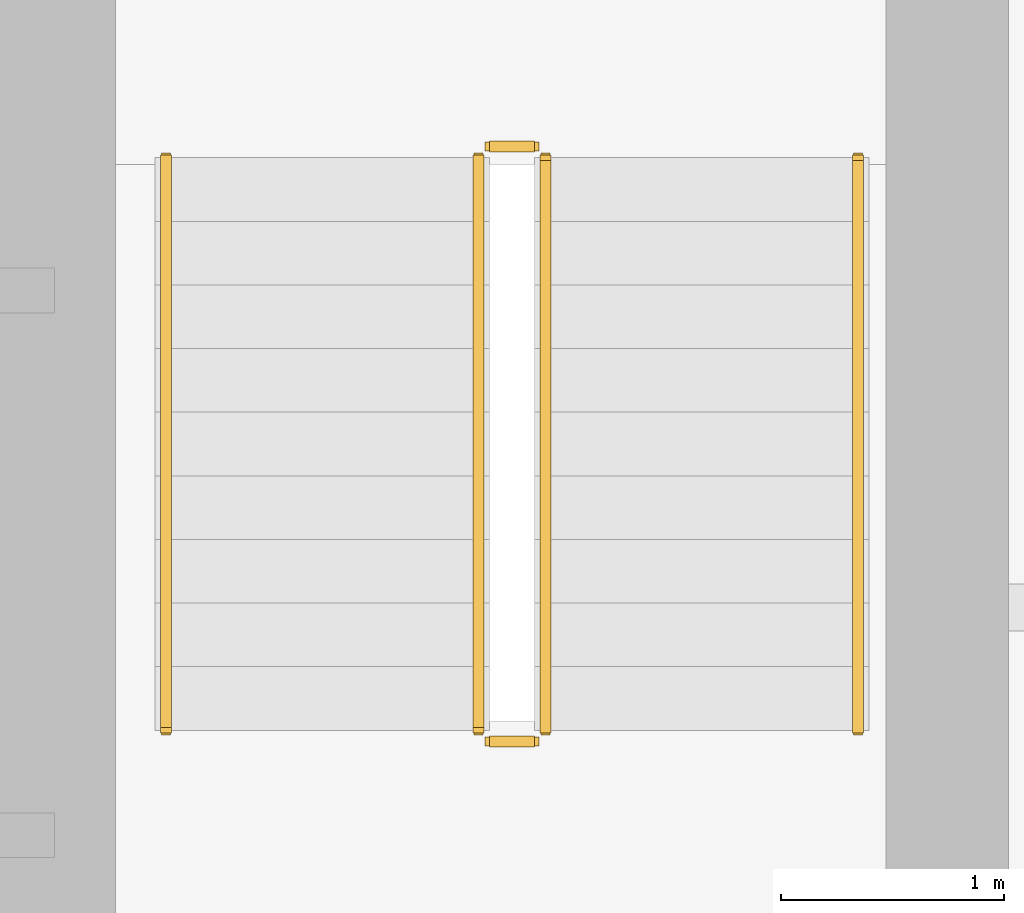
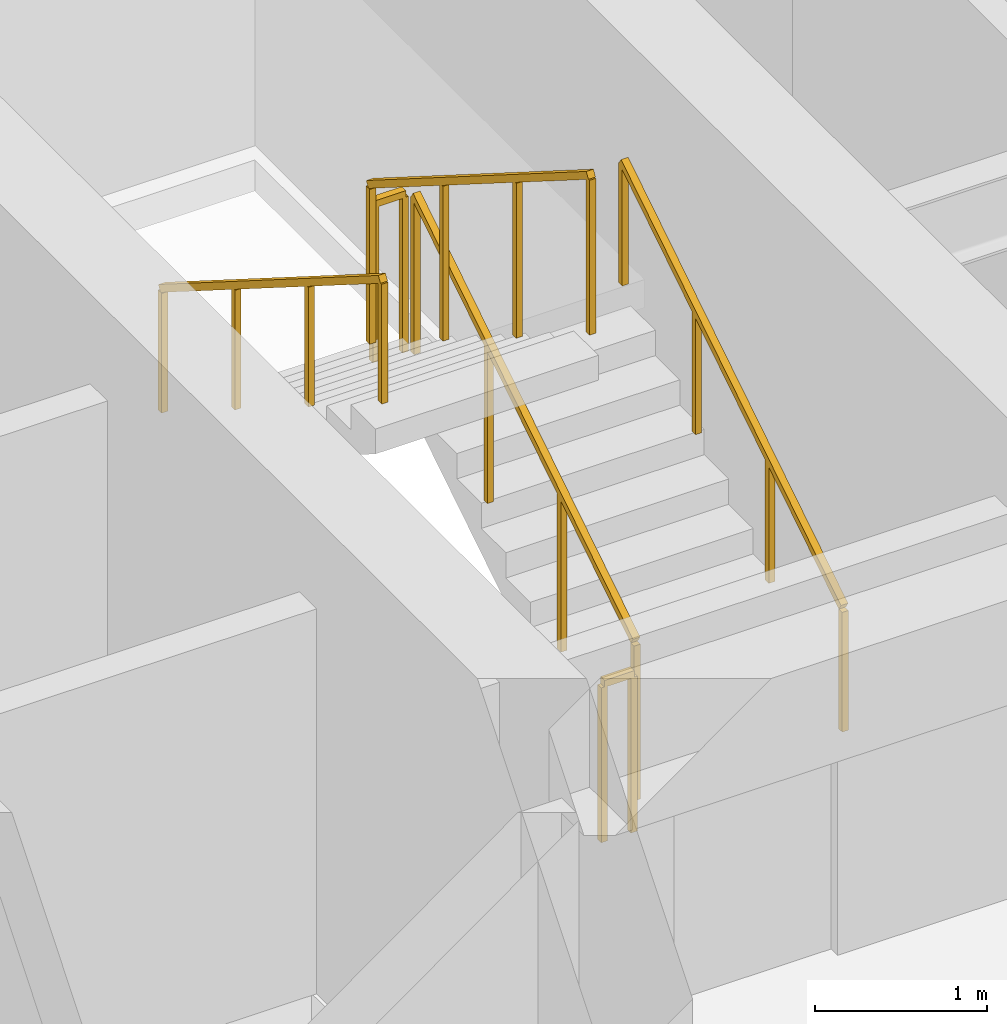
# One storey, part 24 of 24: 6 railings.
"""IFC4 building model written with IfcOpenShell, lengths in metres."""

import ifcopenshell
import ifcopenshell.guid

model = None  # the IFC model being written
_history = None  # IfcOwnerHistory: only IFC2X3 demands one
_inside = {}  # id of a spatial element -> (the spatial element, [elements in it])
_under = {}  # id of a project, library or spatial element -> (it, [spatial elements below it])
_declared = {}  # id of a project -> (the project, [libraries it declares])
_typed = {}  # id of a type object -> (the type object, [elements of that type])
_made_of = {}  # id of a material, layer set ... -> (it, [elements and type objects made of it])


def new_model(schema):
    """Start an empty IFC model of exactly this schema.

    Asked for "IFC4X3", IfcOpenShell would pick the latest addendum, in which some entities
    have other attributes; the version numbers below select the first issue.
    IFC2X3 requires an IfcOwnerHistory on every rooted entity: one is made here for all.
    """
    global model, _history
    if schema == "IFC4X3":
        model = ifcopenshell.file(schema_version=(4, 3, 0, 0))
    else:
        model = ifcopenshell.file(schema=schema)
    _inside.clear()
    _under.clear()
    _declared.clear()
    _typed.clear()
    _made_of.clear()
    _history = None
    if model.schema == "IFC2X3":
        org = make("IfcOrganization", Name="unknown")
        user = make(
            "IfcPersonAndOrganization",
            ThePerson=make("IfcPerson", FamilyName="unknown"),
            TheOrganization=org,
        )
        app = make(
            "IfcApplication",
            ApplicationDeveloper=org,
            Version="unknown",
            ApplicationFullName="unknown",
            ApplicationIdentifier="unknown",
        )
        _history = make(
            "IfcOwnerHistory",
            OwningUser=user,
            OwningApplication=app,
            ChangeAction="ADDED",
            CreationDate=0,
        )
    return model


def make(cls, **values):
    """One entity of the class cls with the attributes given. An attribute that is None is left unset."""
    return model.create_entity(
        cls, **{name: value for name, value in values.items() if value is not None}
    )


def rooted(cls, **values):
    """An entity with a GlobalId (a new one), such as an element, a storey or a relation."""
    return make(cls, GlobalId=ifcopenshell.guid.new(), OwnerHistory=_history, **values)


def si_unit(unit_type, name, prefix=None):
    """IfcSIUnit, for example si_unit("LENGTHUNIT", "METRE", prefix="MILLI")."""
    return make("IfcSIUnit", UnitType=unit_type, Prefix=prefix, Name=name)


def assignment(units):
    """IfcUnitAssignment: the units of a project."""
    return None if units is None else make("IfcUnitAssignment", Units=units)


def point(xyz):
    """IfcCartesianPoint."""
    return None if xyz is None else make("IfcCartesianPoint", Coordinates=xyz)


def direction(xyz):
    """IfcDirection."""
    return None if xyz is None else make("IfcDirection", DirectionRatios=xyz)


def frame(location, z_axis=None, x_axis=None):
    """IfcAxis2Placement3D, a coordinate frame: its origin and axes. An axis left out is left unset."""
    return make(
        "IfcAxis2Placement3D",
        Location=point(location),
        Axis=direction(z_axis),
        RefDirection=direction(x_axis),
    )


def frame_2d(location, x_axis=None):
    """IfcAxis2Placement2D, a coordinate frame in the plane: its origin and x axis."""
    return make(
        "IfcAxis2Placement2D", Location=point(location), RefDirection=direction(x_axis)
    )


def origin():
    """The frame at (0, 0, 0) with its axes left unset."""
    return frame((0.0, 0.0, 0.0))


def origin_2d():
    """The frame at (0, 0) in the plane with its x axis left unset."""
    return frame_2d((0.0, 0.0))


def place(relative_to, where):
    """IfcLocalPlacement: puts the frame where relative to a parent placement (None: the world)."""
    return make(
        "IfcLocalPlacement", PlacementRelTo=relative_to, RelativePlacement=where
    )


def context(
    kind, dimensions, precision=None, world=None, true_north=None, identifier=None
):
    """IfcGeometricRepresentationContext, for example the 3D "Model" context."""
    return make(
        "IfcGeometricRepresentationContext",
        ContextIdentifier=identifier,
        ContextType=kind,
        CoordinateSpaceDimension=dimensions,
        Precision=precision,
        WorldCoordinateSystem=world,
        TrueNorth=true_north,
    )


def subcontext(parent, identifier, kind, view, scale=None):
    """IfcGeometricRepresentationSubContext, for example "Body" below "Model"."""
    return make(
        "IfcGeometricRepresentationSubContext",
        ContextIdentifier=identifier,
        ContextType=kind,
        ParentContext=parent,
        TargetScale=scale,
        TargetView=view,
    )


def project(units=None, contexts=None):
    """IfcProject with its units and contexts."""
    return rooted(
        "IfcProject",
        Name="project",
        RepresentationContexts=contexts,
        UnitsInContext=assignment(units),
    )


def spatial(cls, under=None, at=None, **own):
    """A site, building, storey or space (cls), placed at a placement, below another one or the project."""
    s = rooted(cls, ObjectPlacement=at, **own)
    if under is not None:
        _under.setdefault(under.id(), (under, []))[1].append(s)
    return s


def profile(cls, at=None, kind="AREA", **sizes):
    """A parametric profile (cls). Its sizes go by their IFC names, for example OverallWidth=200.0."""
    return make(cls, ProfileType=kind, Position=at, **sizes)


def rectangle(**sizes):
    """IfcRectangleProfileDef."""
    return profile("IfcRectangleProfileDef", **sizes)


def extrude(swept, where, along, depth):
    """IfcExtrudedAreaSolid: the profile swept, set in the frame where, extruded along a direction by depth."""
    return make(
        "IfcExtrudedAreaSolid",
        SweptArea=swept,
        Position=where,
        ExtrudedDirection=direction(along),
        Depth=depth,
    )


def shape(context_of_items, identifier, shape_type, items):
    """IfcShapeRepresentation: the items that make up one representation, for example the "Body"."""
    return make(
        "IfcShapeRepresentation",
        ContextOfItems=context_of_items,
        RepresentationIdentifier=identifier,
        RepresentationType=shape_type,
        Items=items,
    )


def material(Name=None, Category=None):
    """IfcMaterial."""
    return make("IfcMaterial", Name=Name, Category=Category)


def made_of(thing, what):
    """Note that an element or type object is made of a material, layer set ...; save() writes the relation."""
    if what is not None:
        _made_of.setdefault(what.id(), (what, []))[1].append(thing)
    return thing


def type_object(cls, material=None, **own):
    """A type object (cls), such as IfcWallType, which elements share."""
    return made_of(rooted(cls, **own), material)


def element(
    cls,
    number,
    at=None,
    inside=None,
    cuts=None,
    type_object=None,
    material=None,
    context=None,
    identifier="Body",
    shape_type=None,
    held_by="IfcProductDefinitionShape",
    body=None,
    shapes=None,
    **own,
):
    """One element of the class cls, such as IfcWall. Its Tag is "e" and its number.

    at: its placement. inside: the storey or other place that contains it. cuts: it is an
    opening in that element (IfcRelVoidsElement). A single representation is given by context,
    identifier, shape_type and body (its items); several are given by shapes. held_by: the class
    of the entity that holds the representations. save() writes the other relations.
    """
    e = rooted(cls, Tag="e%d" % number, ObjectPlacement=at, **own)
    if body is not None:
        shapes = [shape(context, identifier, shape_type, body)]
    if shapes is not None:
        e.Representation = make(held_by, Representations=shapes)
    if inside is not None:
        _inside.setdefault(inside.id(), (inside, []))[1].append(e)
    if cuts is not None:
        rooted(
            "IfcRelVoidsElement", RelatingBuildingElement=cuts, RelatedOpeningElement=e
        )
    if type_object is not None:
        _typed.setdefault(type_object.id(), (type_object, []))[1].append(e)
    return made_of(e, material)


def aggregate(whole, parts):
    """IfcRelAggregates: a whole, such as a stair, and the parts it consists of."""
    return rooted("IfcRelAggregates", RelatingObject=whole, RelatedObjects=parts)


def save(model, path):
    """Write the relations noted so far, then the file.

    IfcRelAggregates (storeys below a building ...), IfcRelContainedInSpatialStructure (elements
    in a storey), IfcRelDefinesByType, IfcRelAssociatesMaterial and IfcRelDeclares: one each for
    every whole, place, type object, material and project.
    """
    for whole, parts in _under.values():
        aggregate(whole, parts)
    for where, things in _inside.values():
        rooted(
            "IfcRelContainedInSpatialStructure",
            RelatedElements=things,
            RelatingStructure=where,
        )
    for kind, things in _typed.values():
        rooted("IfcRelDefinesByType", RelatedObjects=things, RelatingType=kind)
    for what, things in _made_of.values():
        rooted("IfcRelAssociatesMaterial", RelatedObjects=things, RelatingMaterial=what)
    for by, libraries in _declared.values():
        rooted("IfcRelDeclares", RelatingContext=by, RelatedDefinitions=libraries)
    model.write(path)


model = new_model("IFC4")

# Units and contexts
model_context = context("Model", 3, precision=1e-05, world=origin(), true_north=direction((0.0, 1.0)))
body_context = subcontext(model_context, "Body", "Model", "MODEL_VIEW")
ifc_project = project(units=[si_unit("LENGTHUNIT", "METRE"), si_unit("AREAUNIT", "SQUARE_METRE"), si_unit("VOLUMEUNIT", "CUBIC_METRE"), si_unit("PLANEANGLEUNIT", "RADIAN"), si_unit("MASSUNIT", "GRAM", prefix="KILO")], contexts=[model_context])

# Site, building, storey
site_placement = place(None, origin())
site = spatial("IfcSite", under=ifc_project, at=site_placement, CompositionType="ELEMENT")
building_placement = place(site_placement, origin())
building = spatial("IfcBuilding", under=site, at=building_placement, Name="Sarneth Arch Tower", CompositionType="ELEMENT")
storey_placement = place(building_placement, frame((0.0, 0.0, 123.60009765625)))
storey = spatial("IfcBuildingStorey", under=building, at=storey_placement, Name="L31", CompositionType="ELEMENT", Elevation=123.60009765625)

# Railings
ifc_material_1 = material(Name="Brushed Stainless Steel 304 tubular handrail", Category="steel")
railing_type_1 = type_object("IfcRailingType", Name="RAIL-HANDRAIL-900", PredefinedType="HANDRAIL", material=ifc_material_1)
railing_1_placement = place(storey_placement, frame((58.60009765625, 41.449951171875, 0.179931640625)))
element("IfcRailing", 1, at=railing_1_placement, inside=storey, type_object=railing_type_1, Name="L31 ST-2 stair handrail 1", PredefinedType="HANDRAIL", context=body_context, shape_type="SweptSolid", body=[
    extrude(rectangle(XDim=0.048095703125, YDim=0.048095703125, at=origin_2d()), frame((0.0, 0.0, 0.8759765625), z_axis=(0.0, 0.845502289212, 0.533971796014), x_axis=(-1.0, 0.0, 0.0)), (0.0, 0.0, 1.0), 3.03369140625),
    extrude(rectangle(XDim=0.0419921875, YDim=0.0419921875, at=origin_2d()), origin(), (0.0, 0.0, 1.0), 0.851806640625),
    extrude(rectangle(XDim=0.0419921875, YDim=0.0419921875, at=origin_2d()), frame((0.0, 0.85498046875, 0.5400390625)), (0.0, 0.0, 1.0), 0.851806640625),
    extrude(rectangle(XDim=0.0419921875, YDim=0.0419921875, at=origin_2d()), frame((0.0, 1.7099609375, 1.079833984375)), (0.0, 0.0, 1.0), 0.851806640625),
    extrude(rectangle(XDim=0.0419921875, YDim=0.0419921875, at=origin_2d()), frame((0.0, 2.56494140625, 1.619873046875)), (0.0, 0.0, 1.0), 0.851806640625),
])
railing_2_placement = place(storey_placement, frame((55.5, 44.014892578125, 1.97998046875)))
element("IfcRailing", 2, at=railing_2_placement, inside=storey, type_object=railing_type_1, Name="L31 ST-2 stair handrail 2", PredefinedType="HANDRAIL", context=body_context, shape_type="SweptSolid", body=[
    extrude(rectangle(XDim=0.048095703125, YDim=0.048095703125, at=origin_2d()), frame((0.0, 0.0, 0.8759765625), z_axis=(0.0, -0.845502289212, 0.533971796014), x_axis=(1.0, 0.0, 0.0)), (0.0, 0.0, 1.0), 3.03369140625),
    extrude(rectangle(XDim=0.0419921875, YDim=0.0419921875, at=origin_2d()), origin(), (0.0, 0.0, 1.0), 0.851806640625),
    extrude(rectangle(XDim=0.0419921875, YDim=0.0419921875, at=origin_2d()), frame((0.0, -0.85498046875, 0.5400390625)), (0.0, 0.0, 1.0), 0.851806640625),
    extrude(rectangle(XDim=0.0419921875, YDim=0.0419921875, at=origin_2d()), frame((0.0, -1.7099609375, 1.079833984375)), (0.0, 0.0, 1.0), 0.851806640625),
    extrude(rectangle(XDim=0.0419921875, YDim=0.0419921875, at=origin_2d()), frame((0.0, -2.56494140625, 1.619873046875)), (0.0, 0.0, 1.0), 0.851806640625),
])
ifc_material_2 = material(Name="Painted Steel S275 stair well guard", Category="steel")
railing_type_2 = type_object("IfcRailingType", Name="RAIL-STAIR-GUARD", PredefinedType="GUARDRAIL", material=ifc_material_2)
railing_3_placement = place(storey_placement, frame((57.199951171875, 41.449951171875, 0.179931640625)))
element("IfcRailing", 3, at=railing_3_placement, inside=storey, type_object=railing_type_2, Name="L31 ST-2 stair guard 1", PredefinedType="GUARDRAIL", context=body_context, shape_type="SweptSolid", body=[
    extrude(rectangle(XDim=0.048095703125, YDim=0.048095703125, at=origin_2d()), frame((0.0, 0.0, 1.1259765625), z_axis=(0.0, 0.845502289212, 0.533971796014), x_axis=(-1.0, 0.0, 0.0)), (0.0, 0.0, 1.0), 3.03369140625),
    extrude(rectangle(XDim=0.0419921875, YDim=0.0419921875, at=origin_2d()), origin(), (0.0, 0.0, 1.0), 1.101806640625),
    extrude(rectangle(XDim=0.0419921875, YDim=0.0419921875, at=origin_2d()), frame((0.0, 0.85498046875, 0.5400390625)), (0.0, 0.0, 1.0), 1.101806640625),
    extrude(rectangle(XDim=0.0419921875, YDim=0.0419921875, at=origin_2d()), frame((0.0, 1.7099609375, 1.079833984375)), (0.0, 0.0, 1.0), 1.101806640625),
    extrude(rectangle(XDim=0.0419921875, YDim=0.0419921875, at=origin_2d()), frame((0.0, 2.56494140625, 1.619873046875)), (0.0, 0.0, 1.0), 1.101806640625),
])
railing_4_placement = place(storey_placement, frame((57.14990234375, 44.06494140625, 1.7998046875)))
element("IfcRailing", 4, at=railing_4_placement, inside=storey, type_object=railing_type_2, Name="L31 ST-2 stair guard 2", PredefinedType="GUARDRAIL", context=body_context, shape_type="SweptSolid", body=[
    extrude(rectangle(XDim=0.048095703125, YDim=0.048095703125, at=origin_2d()), frame((0.0, 0.0, 1.1259765625), z_axis=(-1.0, 0.0, 0.0), x_axis=(0.0, -1.0, 0.0)), (0.0, 0.0, 1.0), 0.199951171875),
    extrude(rectangle(XDim=0.0419921875, YDim=0.0419921875, at=origin_2d()), origin(), (0.0, 0.0, 1.0), 1.101806640625),
    extrude(rectangle(XDim=0.0419921875, YDim=0.0419921875, at=origin_2d()), frame((-0.199951171875, 0.0, 0.0)), (0.0, 0.0, 1.0), 1.101806640625),
])
railing_5_placement = place(storey_placement, frame((56.89990234375, 44.014892578125, 1.97998046875)))
element("IfcRailing", 5, at=railing_5_placement, inside=storey, type_object=railing_type_2, Name="L31 ST-2 stair guard 3", PredefinedType="GUARDRAIL", context=body_context, shape_type="SweptSolid", body=[
    extrude(rectangle(XDim=0.048095703125, YDim=0.048095703125, at=origin_2d()), frame((0.0, 0.0, 1.1259765625), z_axis=(0.0, -0.845502289212, 0.533971796014), x_axis=(1.0, 0.0, 0.0)), (0.0, 0.0, 1.0), 3.03369140625),
    extrude(rectangle(XDim=0.0419921875, YDim=0.0419921875, at=origin_2d()), origin(), (0.0, 0.0, 1.0), 1.101806640625),
    extrude(rectangle(XDim=0.0419921875, YDim=0.0419921875, at=origin_2d()), frame((0.0, -0.85498046875, 0.5400390625)), (0.0, 0.0, 1.0), 1.101806640625),
    extrude(rectangle(XDim=0.0419921875, YDim=0.0419921875, at=origin_2d()), frame((0.0, -1.7099609375, 1.079833984375)), (0.0, 0.0, 1.0), 1.101806640625),
    extrude(rectangle(XDim=0.0419921875, YDim=0.0419921875, at=origin_2d()), frame((0.0, -2.56494140625, 1.619873046875)), (0.0, 0.0, 1.0), 1.101806640625),
])
railing_6_placement = place(storey_placement, frame((57.14990234375, 41.39990234375, 0.0)))
element("IfcRailing", 6, at=railing_6_placement, inside=storey, type_object=railing_type_2, Name="L31 ST-2 stair guard 4", PredefinedType="GUARDRAIL", context=body_context, shape_type="SweptSolid", body=[
    extrude(rectangle(XDim=0.048095703125, YDim=0.048095703125, at=origin_2d()), frame((0.0, 0.0, 1.1259765625), z_axis=(-1.0, 0.0, 0.0), x_axis=(0.0, -1.0, 0.0)), (0.0, 0.0, 1.0), 0.199951171875),
    extrude(rectangle(XDim=0.0419921875, YDim=0.0419921875, at=origin_2d()), origin(), (0.0, 0.0, 1.0), 1.101806640625),
    extrude(rectangle(XDim=0.0419921875, YDim=0.0419921875, at=origin_2d()), frame((-0.199951171875, 0.0, 0.0)), (0.0, 0.0, 1.0), 1.101806640625),
])

save(model, "model.ifc")
